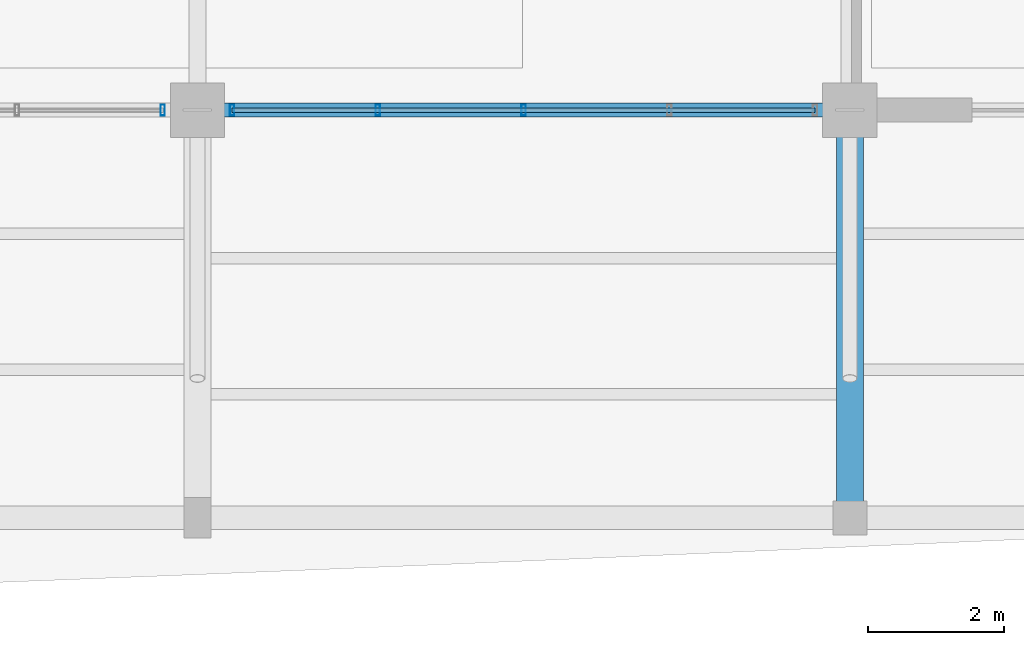
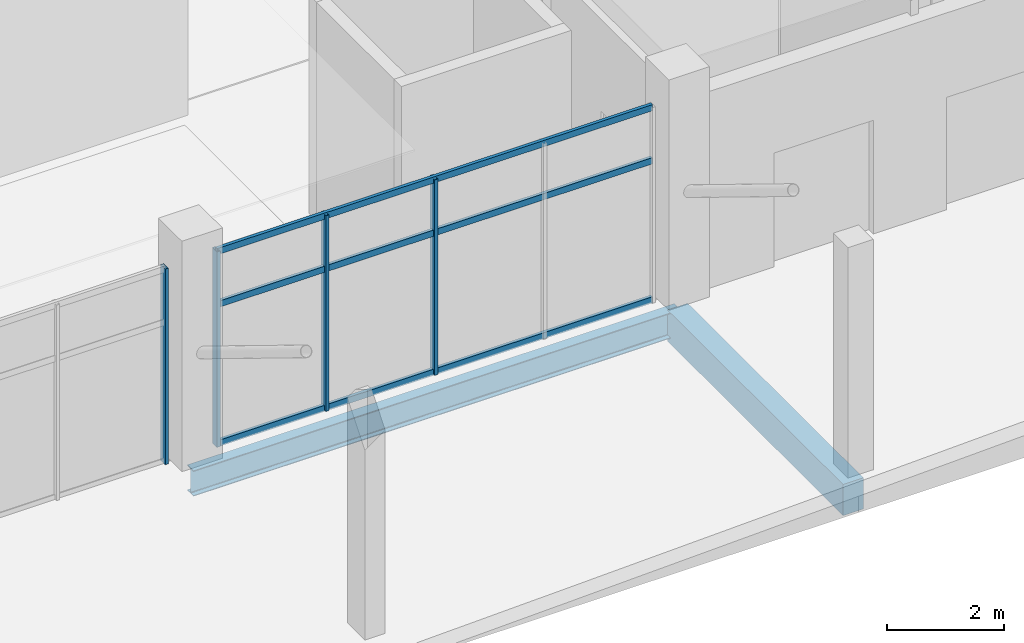
# One storey, part 44 of 116: 7 members, 2 beams, 2 elements without a shape of their own.
"""IFC4 building model written with IfcOpenShell, lengths in metres."""

from ifc_helpers import new_model, si_unit, direction, frame, origin, origin_2d, place, context, subcontext, project, spatial, rectangle, hollow_rectangle, i_section, extrude, material, layer, layer_set, material_profile, profile_set, type_object, element, aggregate, save


model = new_model("IFC4")

# Units and contexts
model_context = context("Model", 3, precision=1e-05, world=origin(), true_north=direction((0.0, 1.0)))
body_context = subcontext(model_context, "Body", "Model", "MODEL_VIEW")
ifc_project = project(units=[si_unit("LENGTHUNIT", "METRE"), si_unit("AREAUNIT", "SQUARE_METRE"), si_unit("VOLUMEUNIT", "CUBIC_METRE"), si_unit("PLANEANGLEUNIT", "RADIAN"), si_unit("MASSUNIT", "GRAM", prefix="KILO")], contexts=[model_context])

# Site, building, storey
site_placement = place(None, origin())
site = spatial("IfcSite", under=ifc_project, at=site_placement, CompositionType="ELEMENT")
building_placement = place(site_placement, origin())
building = spatial("IfcBuilding", under=site, at=building_placement, Name="Chalmorin Arch Market", CompositionType="ELEMENT")
storey_placement = place(building_placement, origin())
storey = spatial("IfcBuildingStorey", under=building, at=storey_placement, Name="L00", CompositionType="ELEMENT", Elevation=0.0)

# Curtain wall, member
ifc_material_1 = material(Name="Aluminium 6063-T6", Category="aluminium")
ifc_layer = layer(ifc_material_1, 0.159912109375)
ifc_layer_set = layer_set([ifc_layer], Name="Aluminium 6063-T6")
curtain_wall_type = type_object("IfcCurtainWallType", Name="RiverfrontStorefrontCurtainWall-CW2-8580x4080", PredefinedType="NOTDEFINED", material=ifc_layer_set)
curtain_wall_1_placement = place(storey_placement, origin())
curtain_wall_1 = element("IfcCurtainWall", 1, at=curtain_wall_1_placement, inside=storey, type_object=curtain_wall_type, Name="CW-02-016", PredefinedType="NOTDEFINED")
ifc_material_profile_1 = material_profile(ifc_material_1, hollow_rectangle(XDim=0.06494140625, YDim=0.159912109375, WallThickness=0.00390625, at=origin_2d()), Name="ALU65X160X4")
ifc_profile_set_1 = profile_set([ifc_material_profile_1], Name="Aluminium 6063-T6")
member_type_1 = type_object("IfcMemberType", Name="CurtainWallMullion-65x160", PredefinedType="MULLION", material=ifc_profile_set_1)
member_1_placement = place(storey_placement, frame((105.090087890625, 6.0, 0.0), z_axis=(0.0, 0.0, 1.0), x_axis=(1.0, 0.0, 0.0)))
member_1 = element("IfcMember", 2, at=member_1_placement, type_object=member_type_1, Name="ML-016-05", PredefinedType="MULLION", context=body_context, shape_type="SweptSolid", body=[
    extrude(hollow_rectangle(XDim=0.06494140625, YDim=0.159912109375, WallThickness=0.00390625, at=origin_2d()), origin(), (0.0, 0.0, 1.0), 4.075927734375),
])
aggregate(curtain_wall_1, [member_1])

# Curtain wall, members
curtain_wall_2_placement = place(storey_placement, origin())
curtain_wall_2 = element("IfcCurtainWall", 3, at=curtain_wall_2_placement, inside=storey, type_object=curtain_wall_type, Name="CW-02-019", PredefinedType="NOTDEFINED")
member_2_placement = place(storey_placement, frame((106.110107421875, 6.0, 0.0), z_axis=(0.0, 0.0, 1.0), x_axis=(1.0, 0.0, 0.0)))
member_2 = element("IfcMember", 4, at=member_2_placement, type_object=member_type_1, Name="ML-019-01", PredefinedType="MULLION", context=body_context, shape_type="SweptSolid", body=[
    extrude(hollow_rectangle(XDim=0.06494140625, YDim=0.159912109375, WallThickness=0.00390625, at=origin_2d()), origin(), (0.0, 0.0, 1.0), 4.075927734375),
])
member_3_placement = place(storey_placement, frame((108.2548828125, 6.0, 0.0), z_axis=(0.0, 0.0, 1.0), x_axis=(1.0, 0.0, 0.0)))
member_3 = element("IfcMember", 5, at=member_3_placement, type_object=member_type_1, Name="ML-019-02", PredefinedType="MULLION", context=body_context, shape_type="SweptSolid", body=[
    extrude(hollow_rectangle(XDim=0.06494140625, YDim=0.159912109375, WallThickness=0.00390625, at=origin_2d()), origin(), (0.0, 0.0, 1.0), 4.075927734375),
])
member_4_placement = place(storey_placement, frame((110.39990234375, 6.0, 0.0), z_axis=(0.0, 0.0, 1.0), x_axis=(1.0, 0.0, 0.0)))
member_4 = element("IfcMember", 6, at=member_4_placement, type_object=member_type_1, Name="ML-019-03", PredefinedType="MULLION", context=body_context, shape_type="SweptSolid", body=[
    extrude(hollow_rectangle(XDim=0.06494140625, YDim=0.159912109375, WallThickness=0.00390625, at=origin_2d()), origin(), (0.0, 0.0, 1.0), 4.075927734375),
])
ifc_material_profile_2 = material_profile(ifc_material_1, hollow_rectangle(XDim=0.06494140625, YDim=0.1298828125, WallThickness=0.00390625, at=origin_2d()), Name="ALU65X130X4")
ifc_profile_set_2 = profile_set([ifc_material_profile_2], Name="Aluminium 6063-T6")
member_type_2 = type_object("IfcMemberType", Name="CurtainWallTransom-65x130", PredefinedType="USERDEFINED", material=ifc_profile_set_2)
member_5_placement = place(storey_placement, frame((106.110107421875, 6.0, 0.034912109375), z_axis=(1.0, 0.0, 0.0), x_axis=(0.0, 1.0, 0.0)))
member_5 = element("IfcMember", 7, at=member_5_placement, type_object=member_type_2, Name="TR-019-01", ObjectType="TRANSOM", PredefinedType="USERDEFINED", context=body_context, shape_type="SweptSolid", body=[
    extrude(hollow_rectangle(XDim=0.06494140625, YDim=0.1298828125, WallThickness=0.00390625, at=origin_2d()), origin(), (0.0, 0.0, 1.0), 8.579833984375),
])
member_6_placement = place(storey_placement, frame((106.110107421875, 6.0, 2.934814453125), z_axis=(1.0, 0.0, 0.0), x_axis=(0.0, 1.0, 0.0)))
member_6 = element("IfcMember", 8, at=member_6_placement, type_object=member_type_2, Name="TR-019-02", ObjectType="TRANSOM", PredefinedType="USERDEFINED", context=body_context, shape_type="SweptSolid", body=[
    extrude(hollow_rectangle(XDim=0.06494140625, YDim=0.1298828125, WallThickness=0.00390625, at=origin_2d()), origin(), (0.0, 0.0, 1.0), 8.579833984375),
])
member_7_placement = place(storey_placement, frame((106.110107421875, 6.0, 4.041015625), z_axis=(1.0, 0.0, 0.0), x_axis=(0.0, 1.0, 0.0)))
member_7 = element("IfcMember", 9, at=member_7_placement, type_object=member_type_2, Name="TR-019-03", ObjectType="TRANSOM", PredefinedType="USERDEFINED", context=body_context, shape_type="SweptSolid", body=[
    extrude(hollow_rectangle(XDim=0.06494140625, YDim=0.1298828125, WallThickness=0.00390625, at=origin_2d()), origin(), (0.0, 0.0, 1.0), 8.579833984375),
])
aggregate(curtain_wall_2, [member_2, member_3, member_4, member_5, member_6, member_7])

# Beams
ifc_material_2 = material(Name="Concrete C40/50", Category="concrete")
ifc_material_profile_3 = material_profile(ifc_material_2, rectangle(XDim=0.39990234375, YDim=0.64990234375, at=origin_2d()), Name="RC400X650")
ifc_profile_set_3 = profile_set([ifc_material_profile_3], Name="Concrete C40/50")
beam_type_1 = type_object("IfcBeamType", Name="MezzanineConcreteBeam-400x650", PredefinedType="BEAM", material=ifc_profile_set_3)
beam_1_placement = place(storey_placement, frame((115.199951171875, 0.0, -0.626953125), z_axis=(0.0, 1.0, 0.0), x_axis=(-1.0, 0.0, 0.0)))
element("IfcBeam", 10, at=beam_1_placement, inside=storey, type_object=beam_type_1, Name="BM-RC3-0571", PredefinedType="BEAM", context=body_context, shape_type="SweptSolid", body=[
    extrude(rectangle(XDim=0.39990234375, YDim=0.64990234375, at=origin_2d()), origin(), (0.0, 0.0, 1.0), 6.0),
])
ifc_material_3 = material(Name="Steel A992 Grade 50", Category="steel")
ifc_material_profile_4 = material_profile(ifc_material_3, i_section(OverallWidth=0.208984375, OverallDepth=0.532958984375, WebThickness=0.01025390625, FlangeThickness=0.015625, FilletRadius=0.02197265625, at=origin_2d()), Name="W21X62")
ifc_profile_set_4 = profile_set([ifc_material_profile_4], Name="Steel A992 Grade 50")
beam_type_2 = type_object("IfcBeamType", Name="PerimeterSpandrelBeam-W21X62", PredefinedType="SPANDREL", material=ifc_profile_set_4)
beam_2_placement = place(storey_placement, frame((105.60009765625, 6.0, -0.568603515625), z_axis=(1.0, 0.0, 0.0), x_axis=(0.0, 1.0, 0.0)))
element("IfcBeam", 11, at=beam_2_placement, inside=storey, type_object=beam_type_2, Name="SP-W21-0085", PredefinedType="SPANDREL", context=body_context, shape_type="SweptSolid", body=[
    extrude(i_section(OverallWidth=0.208984375, OverallDepth=0.532958984375, WebThickness=0.01025390625, FlangeThickness=0.015625, FilletRadius=0.02197265625, at=origin_2d()), origin(), (0.0, 0.0, 1.0), 9.599853515625),
])

save(model, "model.ifc")
